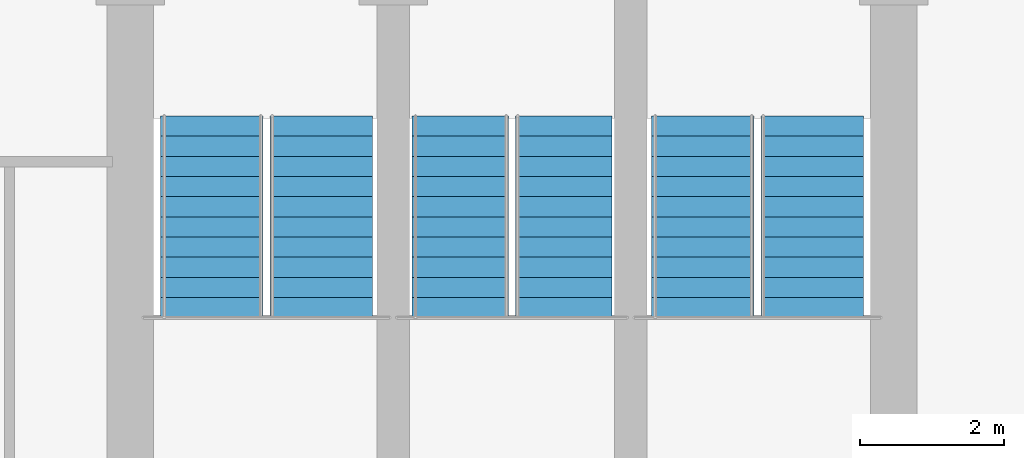
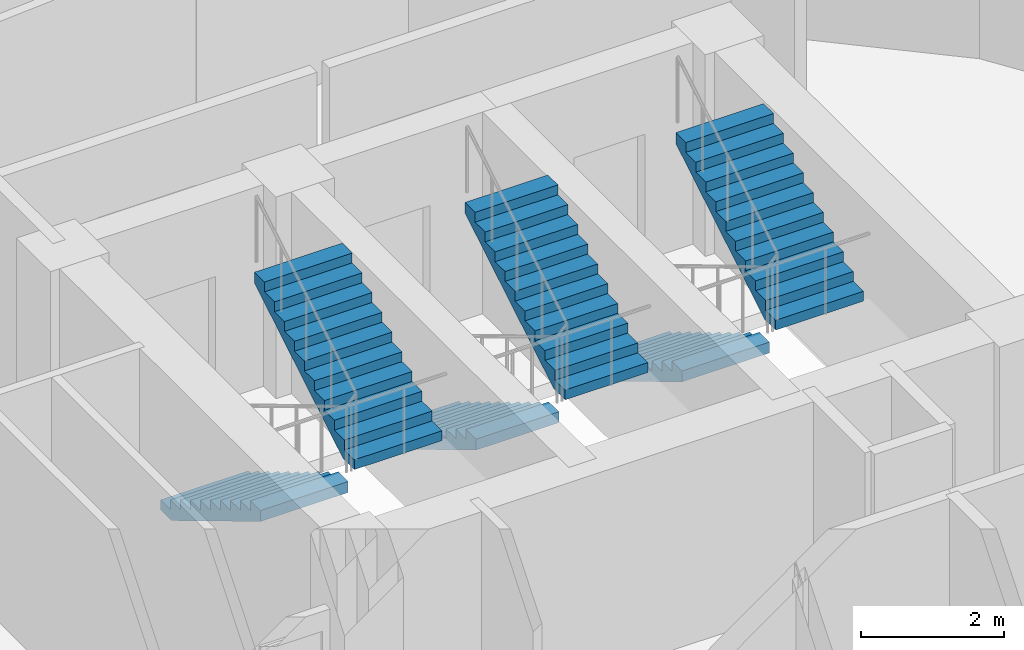
# One storey, part 25 of 26: 6 stair flights, 3 elements without a shape of their own.
"""IFC4 building model written with IfcOpenShell, lengths in metres."""

from ifc_helpers import new_model, si_unit, direction, frame, origin, place, context, subcontext, project, spatial, polyline, outline, extrude, material, type_object, element, aggregate, save


model = new_model("IFC4")

# Units and contexts
model_context = context("Model", 3, precision=1e-05, world=origin(), true_north=direction((0.0, 1.0)))
body_context = subcontext(model_context, "Body", "Model", "MODEL_VIEW")
ifc_project = project(units=[si_unit("LENGTHUNIT", "METRE"), si_unit("AREAUNIT", "SQUARE_METRE"), si_unit("VOLUMEUNIT", "CUBIC_METRE"), si_unit("PLANEANGLEUNIT", "RADIAN"), si_unit("MASSUNIT", "GRAM", prefix="KILO")], contexts=[model_context])

# Site, building, storey
site_placement = place(None, origin())
site = spatial("IfcSite", under=ifc_project, at=site_placement, CompositionType="ELEMENT")
building_placement = place(site_placement, origin())
building = spatial("IfcBuilding", under=site, at=building_placement, Name="Nuhasar Tower", CompositionType="ELEMENT")
storey_placement = place(building_placement, frame((0.0, 0.0, 144.14990234375)))
storey = spatial("IfcBuildingStorey", under=building, at=storey_placement, Name="L34", CompositionType="ELEMENT", Elevation=144.14990234375)

# Stair, stair flights
ifc_material = material(Name="Concrete C45/55", Category="concrete")
stair_type_1 = type_object("IfcStairType", Name="STR-ST-01-2F-22R-1682", PredefinedType="HALF_TURN_STAIR", material=ifc_material)
stair_1_placement = place(storey_placement, origin())
stair_1 = element("IfcStair", 1, at=stair_1_placement, inside=storey, type_object=stair_type_1, Name="L34 Exit Stair ST-01", PredefinedType="HALF_TURN_STAIR")
stair_flight_type_1 = type_object("IfcStairFlightType", Name="SFL-ST-01-11R-1682", PredefinedType="STRAIGHT", material=ifc_material)
stair_flight_1_placement = place(storey_placement, frame((34.830078125, 35.284912109375, 0.0), z_axis=(0.0, 0.0, 1.0), x_axis=(0.0, -1.0, 0.0)))
stair_flight_1 = element("IfcStairFlight", 2, at=stair_flight_1_placement, type_object=stair_flight_type_1, Name="ST-01 flight 1", NumberOfRisers=11, NumberOfTreads=10, PredefinedType="STRAIGHT", RiserHeight=0.168182, TreadLength=0.28, context=body_context, shape_type="SweptSolid", body=[
    extrude(outline(polyline([(0.0, 0.0), (0.0, 0.168212890625), (0.280029296875, 0.168212890625), (0.280029296875, 0.33642578125), (0.56005859375, 0.33642578125), (0.56005859375, 0.504638671875), (0.840087890625, 0.504638671875), (0.840087890625, 0.672607421875), (1.1201171875, 0.672607421875), (1.1201171875, 0.8408203125), (1.39990234375, 0.8408203125), (1.39990234375, 1.009033203125), (1.679931640625, 1.009033203125), (1.679931640625, 1.17724609375), (1.9599609375, 1.17724609375), (1.9599609375, 1.345458984375), (2.239990234375, 1.345458984375), (2.239990234375, 1.513671875), (2.52001953125, 1.513671875), (2.52001953125, 1.681884765625), (2.800048828125, 1.681884765625), (2.800048828125, 1.85009765625), (2.800048828125, 1.495361328125), (0.310546875, 0.0), (0.0, 0.0)])), frame((0.0, 0.7099609375, 0.0), z_axis=(0.0, -1.0, 0.0), x_axis=(1.0, 0.0, 0.0)), (0.0, 0.0, 1.0), 1.419921875),
])
stair_flight_2_placement = place(storey_placement, frame((36.35009765625, 32.485107421875, 1.85009765625), z_axis=(0.0, 0.0, 1.0), x_axis=(0.0, 1.0, 0.0)))
stair_flight_2 = element("IfcStairFlight", 3, at=stair_flight_2_placement, type_object=stair_flight_type_1, Name="ST-01 flight 2", NumberOfRisers=11, NumberOfTreads=10, PredefinedType="STRAIGHT", RiserHeight=0.168182, TreadLength=0.28, context=body_context, shape_type="SweptSolid", body=[
    extrude(outline(polyline([(0.0, 0.0), (0.0, 0.168212890625), (0.280029296875, 0.168212890625), (0.280029296875, 0.33642578125), (0.56005859375, 0.33642578125), (0.56005859375, 0.504638671875), (0.840087890625, 0.504638671875), (0.840087890625, 0.672607421875), (1.1201171875, 0.672607421875), (1.1201171875, 0.8408203125), (1.39990234375, 0.8408203125), (1.39990234375, 1.009033203125), (1.679931640625, 1.009033203125), (1.679931640625, 1.17724609375), (1.9599609375, 1.17724609375), (1.9599609375, 1.345458984375), (2.239990234375, 1.345458984375), (2.239990234375, 1.513671875), (2.52001953125, 1.513671875), (2.52001953125, 1.681884765625), (2.800048828125, 1.681884765625), (2.800048828125, 1.85009765625), (2.800048828125, 1.495361328125), (0.310546875, 0.0), (0.0, 0.0)])), frame((0.0, 0.7099609375, 0.0), z_axis=(0.0, -1.0, 0.0), x_axis=(1.0, 0.0, 0.0)), (0.0, 0.0, 1.0), 1.419921875),
])
aggregate(stair_1, [stair_flight_1, stair_flight_2])

stair_type_2 = type_object("IfcStairType", Name="STR-ST-02-2F-22R-1682", PredefinedType="HALF_TURN_STAIR", material=ifc_material)
stair_2_placement = place(storey_placement, origin())
stair_2 = element("IfcStair", 4, at=stair_2_placement, inside=storey, type_object=stair_type_2, Name="L34 Exit Stair ST-02", PredefinedType="HALF_TURN_STAIR")
stair_flight_type_2 = type_object("IfcStairFlightType", Name="SFL-ST-02-11R-1682", PredefinedType="STRAIGHT", material=ifc_material)
stair_flight_3_placement = place(storey_placement, frame((41.64990234375, 35.284912109375, 0.0), z_axis=(0.0, 0.0, 1.0), x_axis=(0.0, -1.0, 0.0)))
stair_flight_3 = element("IfcStairFlight", 5, at=stair_flight_3_placement, type_object=stair_flight_type_2, Name="ST-02 flight 1", NumberOfRisers=11, NumberOfTreads=10, PredefinedType="STRAIGHT", RiserHeight=0.168182, TreadLength=0.28, context=body_context, shape_type="SweptSolid", body=[
    extrude(outline(polyline([(0.0, 0.0), (0.0, 0.168212890625), (0.280029296875, 0.168212890625), (0.280029296875, 0.33642578125), (0.56005859375, 0.33642578125), (0.56005859375, 0.504638671875), (0.840087890625, 0.504638671875), (0.840087890625, 0.672607421875), (1.1201171875, 0.672607421875), (1.1201171875, 0.8408203125), (1.39990234375, 0.8408203125), (1.39990234375, 1.009033203125), (1.679931640625, 1.009033203125), (1.679931640625, 1.17724609375), (1.9599609375, 1.17724609375), (1.9599609375, 1.345458984375), (2.239990234375, 1.345458984375), (2.239990234375, 1.513671875), (2.52001953125, 1.513671875), (2.52001953125, 1.681884765625), (2.800048828125, 1.681884765625), (2.800048828125, 1.85009765625), (2.800048828125, 1.495361328125), (0.310546875, 0.0), (0.0, 0.0)])), frame((0.0, 0.7099609375, 0.0), z_axis=(0.0, -1.0, 0.0), x_axis=(1.0, 0.0, 0.0)), (0.0, 0.0, 1.0), 1.419921875),
])
stair_flight_4_placement = place(storey_placement, frame((43.169921875, 32.485107421875, 1.85009765625), z_axis=(0.0, 0.0, 1.0), x_axis=(0.0, 1.0, 0.0)))
stair_flight_4 = element("IfcStairFlight", 6, at=stair_flight_4_placement, type_object=stair_flight_type_2, Name="ST-02 flight 2", NumberOfRisers=11, NumberOfTreads=10, PredefinedType="STRAIGHT", RiserHeight=0.168182, TreadLength=0.28, context=body_context, shape_type="SweptSolid", body=[
    extrude(outline(polyline([(0.0, 0.0), (0.0, 0.168212890625), (0.280029296875, 0.168212890625), (0.280029296875, 0.33642578125), (0.56005859375, 0.33642578125), (0.56005859375, 0.504638671875), (0.840087890625, 0.504638671875), (0.840087890625, 0.672607421875), (1.1201171875, 0.672607421875), (1.1201171875, 0.8408203125), (1.39990234375, 0.8408203125), (1.39990234375, 1.009033203125), (1.679931640625, 1.009033203125), (1.679931640625, 1.17724609375), (1.9599609375, 1.17724609375), (1.9599609375, 1.345458984375), (2.239990234375, 1.345458984375), (2.239990234375, 1.513671875), (2.52001953125, 1.513671875), (2.52001953125, 1.681884765625), (2.800048828125, 1.681884765625), (2.800048828125, 1.85009765625), (2.800048828125, 1.495361328125), (0.310546875, 0.0), (0.0, 0.0)])), frame((0.0, 0.7099609375, 0.0), z_axis=(0.0, -1.0, 0.0), x_axis=(1.0, 0.0, 0.0)), (0.0, 0.0, 1.0), 1.419921875),
])
aggregate(stair_2, [stair_flight_3, stair_flight_4])

stair_type_3 = type_object("IfcStairType", Name="STR-ST-03-2F-22R-1682", PredefinedType="HALF_TURN_STAIR", material=ifc_material)
stair_3_placement = place(storey_placement, origin())
stair_3 = element("IfcStair", 7, at=stair_3_placement, inside=storey, type_object=stair_type_3, Name="L34 Exit Stair ST-03", PredefinedType="HALF_TURN_STAIR")
stair_flight_type_3 = type_object("IfcStairFlightType", Name="SFL-ST-03-11R-1682", PredefinedType="STRAIGHT", material=ifc_material)
stair_flight_5_placement = place(storey_placement, frame((38.280029296875, 35.284912109375, 0.0), z_axis=(0.0, 0.0, 1.0), x_axis=(0.0, -1.0, 0.0)))
stair_flight_5 = element("IfcStairFlight", 8, at=stair_flight_5_placement, type_object=stair_flight_type_3, Name="ST-03 flight 1", NumberOfRisers=11, NumberOfTreads=10, PredefinedType="STRAIGHT", RiserHeight=0.168182, TreadLength=0.28, context=body_context, shape_type="SweptSolid", body=[
    extrude(outline(polyline([(0.0, 0.0), (0.0, 0.168212890625), (0.280029296875, 0.168212890625), (0.280029296875, 0.33642578125), (0.56005859375, 0.33642578125), (0.56005859375, 0.504638671875), (0.840087890625, 0.504638671875), (0.840087890625, 0.672607421875), (1.1201171875, 0.672607421875), (1.1201171875, 0.8408203125), (1.39990234375, 0.8408203125), (1.39990234375, 1.009033203125), (1.679931640625, 1.009033203125), (1.679931640625, 1.17724609375), (1.9599609375, 1.17724609375), (1.9599609375, 1.345458984375), (2.239990234375, 1.345458984375), (2.239990234375, 1.513671875), (2.52001953125, 1.513671875), (2.52001953125, 1.681884765625), (2.800048828125, 1.681884765625), (2.800048828125, 1.85009765625), (2.800048828125, 1.495361328125), (0.310546875, 0.0), (0.0, 0.0)])), frame((0.0, 0.669921875, 0.0), z_axis=(0.0, -1.0, 0.0), x_axis=(1.0, 0.0, 0.0)), (0.0, 0.0, 1.0), 1.340087890625),
])
stair_flight_6_placement = place(storey_placement, frame((39.719970703125, 32.485107421875, 1.85009765625), z_axis=(0.0, 0.0, 1.0), x_axis=(0.0, 1.0, 0.0)))
stair_flight_6 = element("IfcStairFlight", 9, at=stair_flight_6_placement, type_object=stair_flight_type_3, Name="ST-03 flight 2", NumberOfRisers=11, NumberOfTreads=10, PredefinedType="STRAIGHT", RiserHeight=0.168182, TreadLength=0.28, context=body_context, shape_type="SweptSolid", body=[
    extrude(outline(polyline([(0.0, 0.0), (0.0, 0.168212890625), (0.280029296875, 0.168212890625), (0.280029296875, 0.33642578125), (0.56005859375, 0.33642578125), (0.56005859375, 0.504638671875), (0.840087890625, 0.504638671875), (0.840087890625, 0.672607421875), (1.1201171875, 0.672607421875), (1.1201171875, 0.8408203125), (1.39990234375, 0.8408203125), (1.39990234375, 1.009033203125), (1.679931640625, 1.009033203125), (1.679931640625, 1.17724609375), (1.9599609375, 1.17724609375), (1.9599609375, 1.345458984375), (2.239990234375, 1.345458984375), (2.239990234375, 1.513671875), (2.52001953125, 1.513671875), (2.52001953125, 1.681884765625), (2.800048828125, 1.681884765625), (2.800048828125, 1.85009765625), (2.800048828125, 1.495361328125), (0.310546875, 0.0), (0.0, 0.0)])), frame((0.0, 0.669921875, 0.0), z_axis=(0.0, -1.0, 0.0), x_axis=(1.0, 0.0, 0.0)), (0.0, 0.0, 1.0), 1.340087890625),
])
aggregate(stair_3, [stair_flight_5, stair_flight_6])

save(model, "model.ifc")
